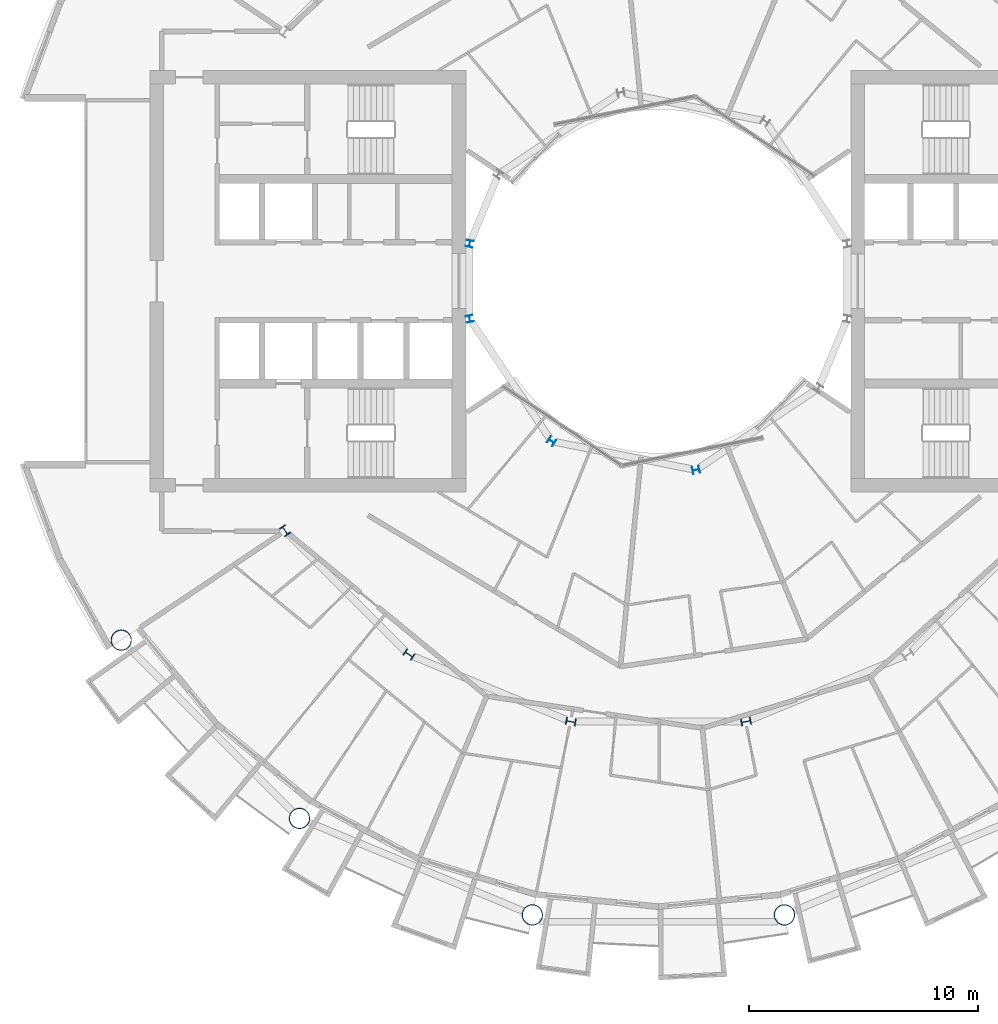
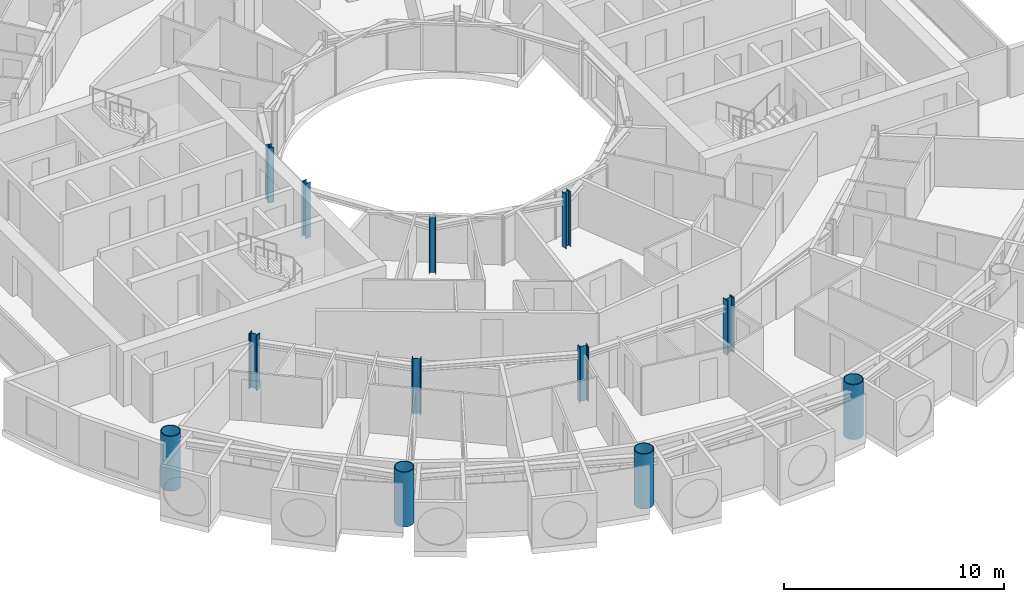
# One storey, part 1 of 28: 12 columns.
"""IFC4 building model written with IfcOpenShell, lengths in metres."""

import ifcopenshell
import ifcopenshell.guid

model = None  # the IFC model being written
_history = None  # IfcOwnerHistory: only IFC2X3 demands one
_inside = {}  # id of a spatial element -> (the spatial element, [elements in it])
_under = {}  # id of a project, library or spatial element -> (it, [spatial elements below it])
_declared = {}  # id of a project -> (the project, [libraries it declares])
_typed = {}  # id of a type object -> (the type object, [elements of that type])
_made_of = {}  # id of a material, layer set ... -> (it, [elements and type objects made of it])


def new_model(schema):
    """Start an empty IFC model of exactly this schema.

    Asked for "IFC4X3", IfcOpenShell would pick the latest addendum, in which some entities
    have other attributes; the version numbers below select the first issue.
    IFC2X3 requires an IfcOwnerHistory on every rooted entity: one is made here for all.
    """
    global model, _history
    if schema == "IFC4X3":
        model = ifcopenshell.file(schema_version=(4, 3, 0, 0))
    else:
        model = ifcopenshell.file(schema=schema)
    _inside.clear()
    _under.clear()
    _declared.clear()
    _typed.clear()
    _made_of.clear()
    _history = None
    if model.schema == "IFC2X3":
        org = make("IfcOrganization", Name="unknown")
        user = make(
            "IfcPersonAndOrganization",
            ThePerson=make("IfcPerson", FamilyName="unknown"),
            TheOrganization=org,
        )
        app = make(
            "IfcApplication",
            ApplicationDeveloper=org,
            Version="unknown",
            ApplicationFullName="unknown",
            ApplicationIdentifier="unknown",
        )
        _history = make(
            "IfcOwnerHistory",
            OwningUser=user,
            OwningApplication=app,
            ChangeAction="ADDED",
            CreationDate=0,
        )
    return model


def make(cls, **values):
    """One entity of the class cls with the attributes given. An attribute that is None is left unset."""
    return model.create_entity(
        cls, **{name: value for name, value in values.items() if value is not None}
    )


def rooted(cls, **values):
    """An entity with a GlobalId (a new one), such as an element, a storey or a relation."""
    return make(cls, GlobalId=ifcopenshell.guid.new(), OwnerHistory=_history, **values)


def si_unit(unit_type, name, prefix=None):
    """IfcSIUnit, for example si_unit("LENGTHUNIT", "METRE", prefix="MILLI")."""
    return make("IfcSIUnit", UnitType=unit_type, Prefix=prefix, Name=name)


def assignment(units):
    """IfcUnitAssignment: the units of a project."""
    return None if units is None else make("IfcUnitAssignment", Units=units)


def point(xyz):
    """IfcCartesianPoint."""
    return None if xyz is None else make("IfcCartesianPoint", Coordinates=xyz)


def direction(xyz):
    """IfcDirection."""
    return None if xyz is None else make("IfcDirection", DirectionRatios=xyz)


def frame(location, z_axis=None, x_axis=None):
    """IfcAxis2Placement3D, a coordinate frame: its origin and axes. An axis left out is left unset."""
    return make(
        "IfcAxis2Placement3D",
        Location=point(location),
        Axis=direction(z_axis),
        RefDirection=direction(x_axis),
    )


def frame_2d(location, x_axis=None):
    """IfcAxis2Placement2D, a coordinate frame in the plane: its origin and x axis."""
    return make(
        "IfcAxis2Placement2D", Location=point(location), RefDirection=direction(x_axis)
    )


def origin():
    """The frame at (0, 0, 0) with its axes left unset."""
    return frame((0.0, 0.0, 0.0))


def origin_2d():
    """The frame at (0, 0) in the plane with its x axis left unset."""
    return frame_2d((0.0, 0.0))


def place(relative_to, where):
    """IfcLocalPlacement: puts the frame where relative to a parent placement (None: the world)."""
    return make(
        "IfcLocalPlacement", PlacementRelTo=relative_to, RelativePlacement=where
    )


def context(
    kind, dimensions, precision=None, world=None, true_north=None, identifier=None
):
    """IfcGeometricRepresentationContext, for example the 3D "Model" context."""
    return make(
        "IfcGeometricRepresentationContext",
        ContextIdentifier=identifier,
        ContextType=kind,
        CoordinateSpaceDimension=dimensions,
        Precision=precision,
        WorldCoordinateSystem=world,
        TrueNorth=true_north,
    )


def subcontext(parent, identifier, kind, view, scale=None):
    """IfcGeometricRepresentationSubContext, for example "Body" below "Model"."""
    return make(
        "IfcGeometricRepresentationSubContext",
        ContextIdentifier=identifier,
        ContextType=kind,
        ParentContext=parent,
        TargetScale=scale,
        TargetView=view,
    )


def project(units=None, contexts=None):
    """IfcProject with its units and contexts."""
    return rooted(
        "IfcProject",
        Name="project",
        RepresentationContexts=contexts,
        UnitsInContext=assignment(units),
    )


def spatial(cls, under=None, at=None, **own):
    """A site, building, storey or space (cls), placed at a placement, below another one or the project."""
    s = rooted(cls, ObjectPlacement=at, **own)
    if under is not None:
        _under.setdefault(under.id(), (under, []))[1].append(s)
    return s


def profile(cls, at=None, kind="AREA", **sizes):
    """A parametric profile (cls). Its sizes go by their IFC names, for example OverallWidth=200.0."""
    return make(cls, ProfileType=kind, Position=at, **sizes)


def hollow_circle(**sizes):
    """IfcCircleHollowProfileDef."""
    return profile("IfcCircleHollowProfileDef", **sizes)


def i_section(**sizes):
    """IfcIShapeProfileDef."""
    return profile("IfcIShapeProfileDef", **sizes)


def extrude(swept, where, along, depth):
    """IfcExtrudedAreaSolid: the profile swept, set in the frame where, extruded along a direction by depth."""
    return make(
        "IfcExtrudedAreaSolid",
        SweptArea=swept,
        Position=where,
        ExtrudedDirection=direction(along),
        Depth=depth,
    )


def shape(context_of_items, identifier, shape_type, items):
    """IfcShapeRepresentation: the items that make up one representation, for example the "Body"."""
    return make(
        "IfcShapeRepresentation",
        ContextOfItems=context_of_items,
        RepresentationIdentifier=identifier,
        RepresentationType=shape_type,
        Items=items,
    )


def material(Name=None, Category=None):
    """IfcMaterial."""
    return make("IfcMaterial", Name=Name, Category=Category)


def material_profile(
    of_material, cross_section, Name=None, Category=None, Priority=None
):
    """IfcMaterialProfile: a cross section and its material."""
    return make(
        "IfcMaterialProfile",
        Name=Name,
        Material=of_material,
        Profile=cross_section,
        Priority=Priority,
        Category=Category,
    )


def profile_set(profiles, Name=None, composite=None):
    """IfcMaterialProfileSet."""
    return make(
        "IfcMaterialProfileSet",
        Name=Name,
        MaterialProfiles=profiles,
        CompositeProfile=composite,
    )


def made_of(thing, what):
    """Note that an element or type object is made of a material, layer set ...; save() writes the relation."""
    if what is not None:
        _made_of.setdefault(what.id(), (what, []))[1].append(thing)
    return thing


def type_object(cls, material=None, **own):
    """A type object (cls), such as IfcWallType, which elements share."""
    return made_of(rooted(cls, **own), material)


def element(
    cls,
    number,
    at=None,
    inside=None,
    cuts=None,
    type_object=None,
    material=None,
    context=None,
    identifier="Body",
    shape_type=None,
    held_by="IfcProductDefinitionShape",
    body=None,
    shapes=None,
    **own,
):
    """One element of the class cls, such as IfcWall. Its Tag is "e" and its number.

    at: its placement. inside: the storey or other place that contains it. cuts: it is an
    opening in that element (IfcRelVoidsElement). A single representation is given by context,
    identifier, shape_type and body (its items); several are given by shapes. held_by: the class
    of the entity that holds the representations. save() writes the other relations.
    """
    e = rooted(cls, Tag="e%d" % number, ObjectPlacement=at, **own)
    if body is not None:
        shapes = [shape(context, identifier, shape_type, body)]
    if shapes is not None:
        e.Representation = make(held_by, Representations=shapes)
    if inside is not None:
        _inside.setdefault(inside.id(), (inside, []))[1].append(e)
    if cuts is not None:
        rooted(
            "IfcRelVoidsElement", RelatingBuildingElement=cuts, RelatedOpeningElement=e
        )
    if type_object is not None:
        _typed.setdefault(type_object.id(), (type_object, []))[1].append(e)
    return made_of(e, material)


def aggregate(whole, parts):
    """IfcRelAggregates: a whole, such as a stair, and the parts it consists of."""
    return rooted("IfcRelAggregates", RelatingObject=whole, RelatedObjects=parts)


def save(model, path):
    """Write the relations noted so far, then the file.

    IfcRelAggregates (storeys below a building ...), IfcRelContainedInSpatialStructure (elements
    in a storey), IfcRelDefinesByType, IfcRelAssociatesMaterial and IfcRelDeclares: one each for
    every whole, place, type object, material and project.
    """
    for whole, parts in _under.values():
        aggregate(whole, parts)
    for where, things in _inside.values():
        rooted(
            "IfcRelContainedInSpatialStructure",
            RelatedElements=things,
            RelatingStructure=where,
        )
    for kind, things in _typed.values():
        rooted("IfcRelDefinesByType", RelatedObjects=things, RelatingType=kind)
    for what, things in _made_of.values():
        rooted("IfcRelAssociatesMaterial", RelatedObjects=things, RelatingMaterial=what)
    for by, libraries in _declared.values():
        rooted("IfcRelDeclares", RelatingContext=by, RelatedDefinitions=libraries)
    model.write(path)


model = new_model("IFC4")

# Units and contexts
model_context = context("Model", 3, precision=1e-05, world=origin(), true_north=direction((0.0, 1.0)))
body_context = subcontext(model_context, "Body", "Model", "MODEL_VIEW")
ifc_project = project(units=[si_unit("LENGTHUNIT", "METRE"), si_unit("AREAUNIT", "SQUARE_METRE"), si_unit("VOLUMEUNIT", "CUBIC_METRE"), si_unit("PLANEANGLEUNIT", "RADIAN"), si_unit("MASSUNIT", "GRAM", prefix="KILO")], contexts=[model_context])

# Site, building, storey
site_placement = place(None, origin())
site = spatial("IfcSite", under=ifc_project, at=site_placement, CompositionType="ELEMENT")
building_placement = place(site_placement, origin())
building = spatial("IfcBuilding", under=site, at=building_placement, Name="Maasbend Ring Residences", CompositionType="ELEMENT")
storey_placement = place(building_placement, frame((0.0, 0.0, 129.949951171875)))
storey = spatial("IfcBuildingStorey", under=building, at=storey_placement, Name="L37", CompositionType="ELEMENT", Elevation=129.949951171875)

# Columns
ifc_material_1 = material(Name="Composite concrete-filled steel tube S460NH / C80/95", Category="concrete")
ifc_material_profile_1 = material_profile(ifc_material_1, hollow_circle(Radius=0.45703125, WallThickness=0.0400390625, at=origin_2d()), Name="Composite tube column CHS 914x40")
ifc_profile_set_1 = profile_set([ifc_material_profile_1], Name="Composite concrete-filled steel tube S460NH / C80/95")
column_type_1 = type_object("IfcColumnType", Name="Composite tube column CHS 914x40", PredefinedType="COLUMN", material=ifc_profile_set_1)
for number, where, z_axis, x_axis, name in (
    (1, (-23.447509765625, -15.6669921875, 0.0), (0.0, 0.0, 1.0), (1.0, 0.0, 0.0), "Outer column R10"),
    (2, (-15.6669921875, -23.447509765625, 0.0), (0.0, 0.0, 1.0), (1.0, 0.0, 0.0), "Outer column R11"),
    (3, (-5.50146484375, -27.658203125, 0.0), (0.0, 0.0, 1.0), (1.0, 0.0, 0.0), "Outer column R12"),
    (4, (5.50146484375, -27.658203125, 0.0), (0.0, 0.0, 1.0), (1.0, 0.0, 0.0), "Outer column R13"),
):
    element("IfcColumn", number, at=place(storey_placement, frame(where, z_axis=z_axis, x_axis=x_axis)), inside=storey, type_object=column_type_1, Name=name, PredefinedType="COLUMN", context=body_context, shape_type="SweptSolid", body=[
        extrude(hollow_circle(Radius=0.45703125, WallThickness=0.0400390625, at=origin_2d()), origin(), (0.0, 0.0, 1.0), 3.050048828125),
    ])
ifc_material_2 = material(Name="Steel S355J2", Category="steel")
ifc_material_profile_2 = material_profile(ifc_material_2, i_section(OverallWidth=0.300048828125, OverallDepth=0.300048828125, WebThickness=0.010986328125, FlangeThickness=0.01904296875, FilletRadius=0.027099609375, at=origin_2d()), Name="HEB 300")
ifc_profile_set_2 = profile_set([ifc_material_profile_2], Name="Steel S355J2")
column_type_2 = type_object("IfcColumnType", Name="Steel column HEB 300", PredefinedType="COLUMN", material=ifc_profile_set_2)
for number, where, z_axis, x_axis, name in (
    (5, (-8.238525390625, 1.638916015625, 0.0), (0.0, 0.0, 1.0), (-0.980785280403, 0.195090322016, 0.0), "Well ring column R8"),
    (6, (-8.238525390625, -1.638916015625, 0.0), (0.0, 0.0, 1.0), (-0.980785280403, -0.195090322016, 0.0), "Well ring column R9"),
    (7, (-4.666748046875, -6.984375, 0.0), (0.0, 0.0, 1.0), (-0.55557023302, -0.831469612303, 0.0), "Well ring column R11"),
    (8, (1.638916015625, -8.238525390625, 0.0), (0.0, 0.0, 1.0), (0.195090322016, -0.980785280403, 0.0), "Well ring column R13"),
):
    element("IfcColumn", number, at=place(storey_placement, frame(where, z_axis=z_axis, x_axis=x_axis)), inside=storey, type_object=column_type_2, Name=name, PredefinedType="COLUMN", context=body_context, shape_type="SweptSolid", body=[
        extrude(i_section(OverallWidth=0.300048828125, OverallDepth=0.300048828125, WebThickness=0.010986328125, FlangeThickness=0.01904296875, FilletRadius=0.027099609375, at=origin_2d()), origin(), (0.0, 0.0, 1.0), 3.050048828125),
    ])
ifc_material_3 = material(Name="Steel S460M", Category="steel")
ifc_material_profile_3 = material_profile(ifc_material_3, i_section(OverallWidth=0.306884765625, OverallDepth=0.431884765625, WebThickness=0.02099609375, FlangeThickness=0.0400390625, FilletRadius=0.027099609375, at=origin_2d()), Name="HEM 400")
ifc_profile_set_3 = profile_set([ifc_material_profile_3], Name="Steel S460M")
column_type_3 = type_object("IfcColumnType", Name="Steel column HEM 400", PredefinedType="COLUMN", material=ifc_profile_set_3)
for number, where, z_axis, x_axis, name in (
    (9, (-16.296875, -10.88916015625, 0.0), (0.0, 0.0, 1.0), (-0.831469612303, -0.55557023302, 0.0), "Corridor ring column R10"),
    (10, (-10.88916015625, -16.296875, 0.0), (0.0, 0.0, 1.0), (-0.55557023302, -0.831469612303, 0.0), "Corridor ring column R11"),
    (11, (-3.82373046875, -19.223388671875, 0.0), (0.0, 0.0, 1.0), (-0.195090322016, -0.980785280403, 0.0), "Corridor ring column R12"),
    (12, (3.82373046875, -19.223388671875, 0.0), (0.0, 0.0, 1.0), (0.195090322016, -0.980785280403, 0.0), "Corridor ring column R13"),
):
    element("IfcColumn", number, at=place(storey_placement, frame(where, z_axis=z_axis, x_axis=x_axis)), inside=storey, type_object=column_type_3, Name=name, PredefinedType="COLUMN", context=body_context, shape_type="SweptSolid", body=[
        extrude(i_section(OverallWidth=0.306884765625, OverallDepth=0.431884765625, WebThickness=0.02099609375, FlangeThickness=0.0400390625, FilletRadius=0.027099609375, at=origin_2d()), origin(), (0.0, 0.0, 1.0), 3.050048828125),
    ])

save(model, "model.ifc")
